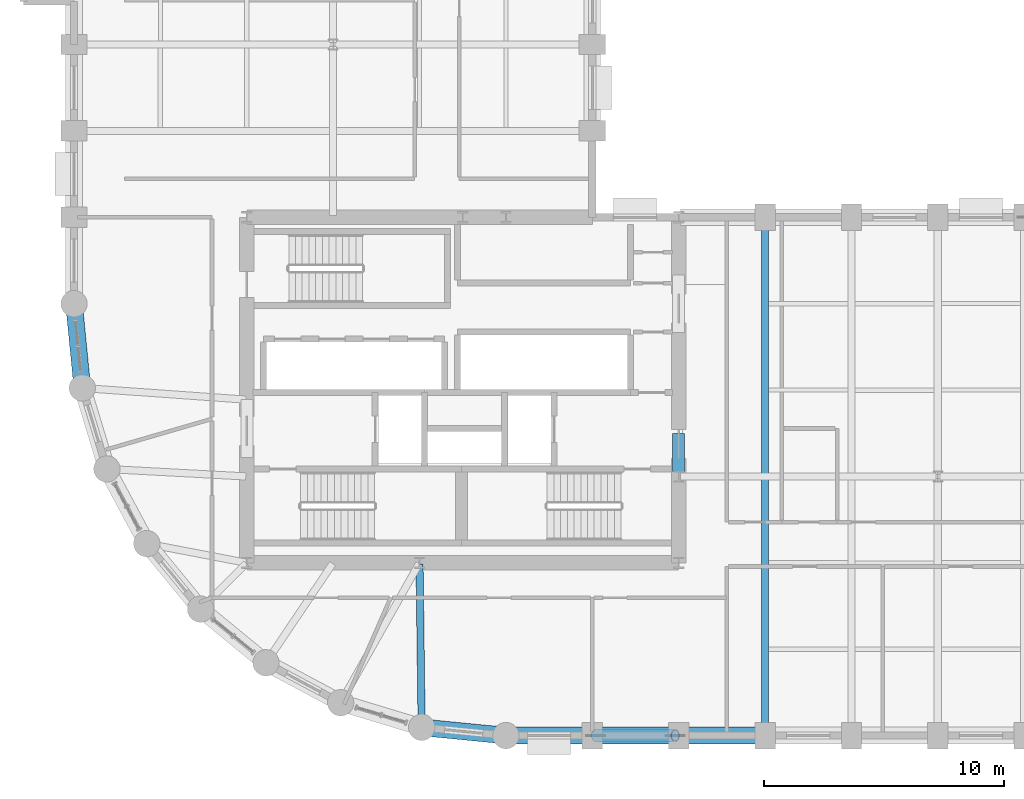
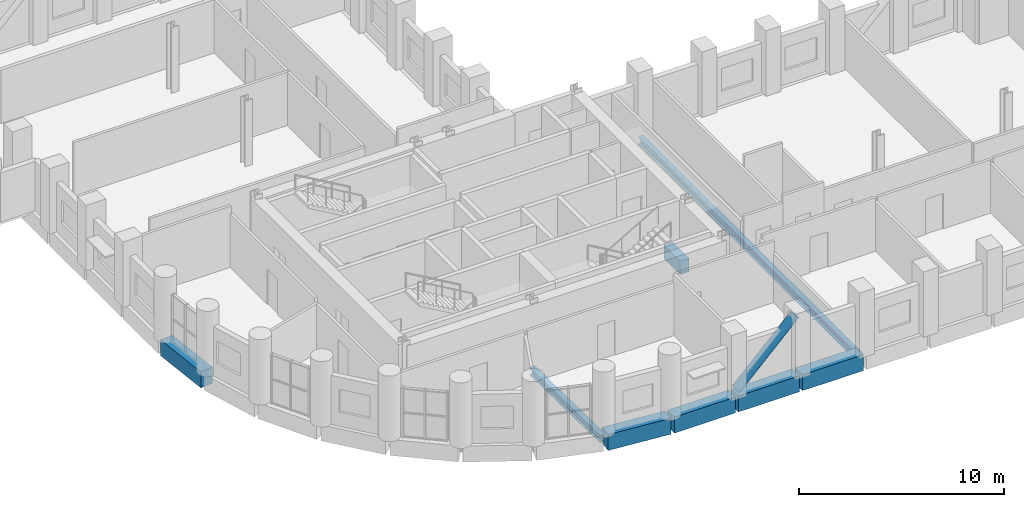
# One storey, part 4 of 13: 8 beams, 1 member.
"""IFC4 building model written with IfcOpenShell, lengths in metres."""

from ifc_helpers import new_model, si_unit, direction, frame, origin, origin_2d, place, context, subcontext, project, spatial, rectangle, hollow_circle, i_section, extrude, material, material_profile, profile_set, type_object, element, save


model = new_model("IFC4")

# Units and contexts
model_context = context("Model", 3, precision=1e-05, world=origin(), true_north=direction((0.0, 1.0)))
body_context = subcontext(model_context, "Body", "Model", "MODEL_VIEW")
ifc_project = project(units=[si_unit("LENGTHUNIT", "METRE"), si_unit("AREAUNIT", "SQUARE_METRE"), si_unit("VOLUMEUNIT", "CUBIC_METRE"), si_unit("PLANEANGLEUNIT", "RADIAN"), si_unit("MASSUNIT", "GRAM", prefix="KILO")], contexts=[model_context])

# Site, building, storey
site_placement = place(None, origin())
site = spatial("IfcSite", under=ifc_project, at=site_placement, CompositionType="ELEMENT")
building_placement = place(site_placement, origin())
building = spatial("IfcBuilding", under=site, at=building_placement, Name="Solnavia Interchange Tower", CompositionType="ELEMENT")
storey_placement = place(building_placement, frame((0.0, 0.0, 87.89990234375)))
storey = spatial("IfcBuildingStorey", under=building, at=storey_placement, Name="L21", CompositionType="ELEMENT", Elevation=87.89990234375)

# Beams
ifc_material_1 = material(Name="Concrete C50/60", Category="concrete")
ifc_material_profile_1 = material_profile(ifc_material_1, rectangle(XDim=0.5, YDim=0.800048828125, at=origin_2d()), Name="RC 500x800")
ifc_profile_set_1 = profile_set([ifc_material_profile_1], Name="Concrete C50/60")
beam_type_1 = type_object("IfcBeamType", Name="Beam-Coupling-RC500x800", PredefinedType="LINTEL", material=ifc_profile_set_1)
beam_1_placement = place(storey_placement, frame((32.39990234375, 14.60009765625, -0.39990234375), z_axis=(0.0, 1.0, 0.0), x_axis=(-1.0, 0.0, 0.0)))
element("IfcBeam", 1, at=beam_1_placement, inside=storey, type_object=beam_type_1, Name="CPB-L21-E1 Core coupling lintel beam", PredefinedType="LINTEL", context=body_context, shape_type="SweptSolid", body=[
    extrude(rectangle(XDim=0.5, YDim=0.800048828125, at=origin_2d()), origin(), (0.0, 0.0, 1.0), 1.599853515625),
])
ifc_material_2 = material(Name="Steel S460", Category="steel")
ifc_material_profile_2 = material_profile(ifc_material_2, i_section(OverallWidth=0.300048828125, OverallDepth=0.449951171875, WebThickness=0.013916015625, FlangeThickness=0.02587890625, FilletRadius=0.027099609375, at=origin_2d()), Name="HEB 450")
ifc_profile_set_2 = profile_set([ifc_material_profile_2], Name="Steel S460")
beam_type_2 = type_object("IfcBeamType", Name="Beam-Girder-HEB450", PredefinedType="BEAM", material=ifc_profile_set_2)
beam_2_placement = place(storey_placement, frame((36.0, 3.679931640625, -0.474853515625), z_axis=(0.0, 1.0, 0.0), x_axis=(-1.0, 0.0, 0.0)))
element("IfcBeam", 2, at=beam_2_placement, inside=storey, type_object=beam_type_2, Name="GRD-L21-EW04 East wing primary floor girder", PredefinedType="BEAM", context=body_context, shape_type="SweptSolid", body=[
    extrude(i_section(OverallWidth=0.300048828125, OverallDepth=0.449951171875, WebThickness=0.013916015625, FlangeThickness=0.02587890625, FilletRadius=0.027099609375, at=origin_2d()), origin(), (0.0, 0.0, 1.0), 21.440185546875),
])
ifc_material_3 = material(Name="Steel S355", Category="steel")
ifc_material_profile_3 = material_profile(ifc_material_3, i_section(OverallWidth=0.300048828125, OverallDepth=0.43994140625, WebThickness=0.011474609375, FlangeThickness=0.02099609375, FilletRadius=0.027099609375, at=origin_2d()), Name="HEA 450")
ifc_profile_set_3 = profile_set([ifc_material_profile_3], Name="Steel S355")
beam_type_3 = type_object("IfcBeamType", Name="Beam-Primary-HEA450", PredefinedType="BEAM", material=ifc_profile_set_3)
beam_3_placement = place(storey_placement, frame((21.68701171875, 4.02587890625, -0.469970703125), z_axis=(-0.01283293513, 0.999917654498, 0.0), x_axis=(-0.999917654498, -0.01283293513, 0.0)))
element("IfcBeam", 3, at=beam_3_placement, inside=storey, type_object=beam_type_3, Name="GRD-L21-DR26 Drum radial floor girder", PredefinedType="BEAM", context=body_context, shape_type="SweptSolid", body=[
    extrude(i_section(OverallWidth=0.300048828125, OverallDepth=0.43994140625, WebThickness=0.011474609375, FlangeThickness=0.02099609375, FilletRadius=0.027099609375, at=origin_2d()), origin(), (0.0, 0.0, 1.0), 6.734619140625),
])
ifc_material_profile_4 = material_profile(ifc_material_1, rectangle(XDim=0.699951171875, YDim=0.949951171875, at=origin_2d()), Name="RC 700x950")
ifc_profile_set_4 = profile_set([ifc_material_profile_4], Name="Concrete C50/60")
beam_type_4 = type_object("IfcBeamType", Name="Beam-Spandrel-RC700x950", PredefinedType="SPANDREL", material=ifc_profile_set_4)
beam_4_placement = place(storey_placement, frame((7.207763671875, 21.5205078125, -0.474853515625), z_axis=(0.098040038117, -0.995182471171, 0.0), x_axis=(0.995182471171, 0.098040038117, 0.0)))
element("IfcBeam", 4, at=beam_4_placement, inside=storey, type_object=beam_type_4, Name="SPB-L21-01 Framed-tube perimeter spandrel beam", PredefinedType="SPANDREL", context=body_context, shape_type="SweptSolid", body=[
    extrude(rectangle(XDim=0.699951171875, YDim=0.949951171875, at=origin_2d()), origin(), (0.0, 0.0, 1.0), 3.369140625),
])
beam_5_placement = place(storey_placement, frame((21.767578125, 3.938232421875, -0.474853515625), z_axis=(0.995181774609, -0.098047108501, 0.0), x_axis=(0.098047108501, 0.995181774609, 0.0)))
element("IfcBeam", 5, at=beam_5_placement, inside=storey, type_object=beam_type_4, Name="SPB-L21-08 Framed-tube perimeter spandrel beam", PredefinedType="SPANDREL", context=body_context, shape_type="SweptSolid", body=[
    extrude(rectangle(XDim=0.699951171875, YDim=0.949951171875, at=origin_2d()), origin(), (0.0, 0.0, 1.0), 3.368896484375),
])
beam_6_placement = place(storey_placement, frame((25.280029296875, 3.60009765625, -0.474853515625), z_axis=(1.0, 0.0, 0.0), x_axis=(0.0, 1.0, 0.0)))
element("IfcBeam", 6, at=beam_6_placement, inside=storey, type_object=beam_type_4, Name="SPB-L21-09 Framed-tube perimeter spandrel beam", PredefinedType="SPANDREL", context=body_context, shape_type="SweptSolid", body=[
    extrude(rectangle(XDim=0.699951171875, YDim=0.949951171875, at=origin_2d()), origin(), (0.0, 0.0, 1.0), 3.43994140625),
])
beam_7_placement = place(storey_placement, frame((28.8798828125, 3.60009765625, -0.474853515625), z_axis=(1.0, 0.0, 0.0), x_axis=(0.0, 1.0, 0.0)))
element("IfcBeam", 7, at=beam_7_placement, inside=storey, type_object=beam_type_4, Name="SPB-L21-10 Framed-tube perimeter spandrel beam", PredefinedType="SPANDREL", context=body_context, shape_type="SweptSolid", body=[
    extrude(rectangle(XDim=0.699951171875, YDim=0.949951171875, at=origin_2d()), origin(), (0.0, 0.0, 1.0), 3.440185546875),
])
beam_8_placement = place(storey_placement, frame((32.47998046875, 3.60009765625, -0.474853515625), z_axis=(1.0, 0.0, 0.0), x_axis=(0.0, 1.0, 0.0)))
element("IfcBeam", 8, at=beam_8_placement, inside=storey, type_object=beam_type_4, Name="SPB-L21-11 Framed-tube perimeter spandrel beam", PredefinedType="SPANDREL", context=body_context, shape_type="SweptSolid", body=[
    extrude(rectangle(XDim=0.699951171875, YDim=0.949951171875, at=origin_2d()), origin(), (0.0, 0.0, 1.0), 3.43994140625),
])

# Member
ifc_material_profile_5 = material_profile(ifc_material_2, hollow_circle(Radius=0.25390625, WallThickness=0.02490234375, at=origin_2d()), Name="CHS 508x25")
ifc_profile_set_5 = profile_set([ifc_material_profile_5], Name="Steel S460")
member_type = type_object("IfcMemberType", Name="Brace-Perim-CHS508", PredefinedType="BRACE", material=ifc_profile_set_5)
member_placement = place(storey_placement, frame((28.93994140625, 3.60009765625, 0.18017578125), z_axis=(0.710311792477, 0.0, 0.703887176661), x_axis=(0.0, 1.0, 0.0)))
element("IfcMember", 9, at=member_placement, inside=storey, type_object=member_type, Name="BRC-L21-01 Perimeter tube diagonal brace", PredefinedType="BRACE", context=body_context, shape_type="SweptSolid", body=[
    extrude(hollow_circle(Radius=0.25390625, WallThickness=0.02490234375, at=origin_2d()), origin(), (0.0, 0.0, 1.0), 4.674072265625),
])

save(model, "model.ifc")
